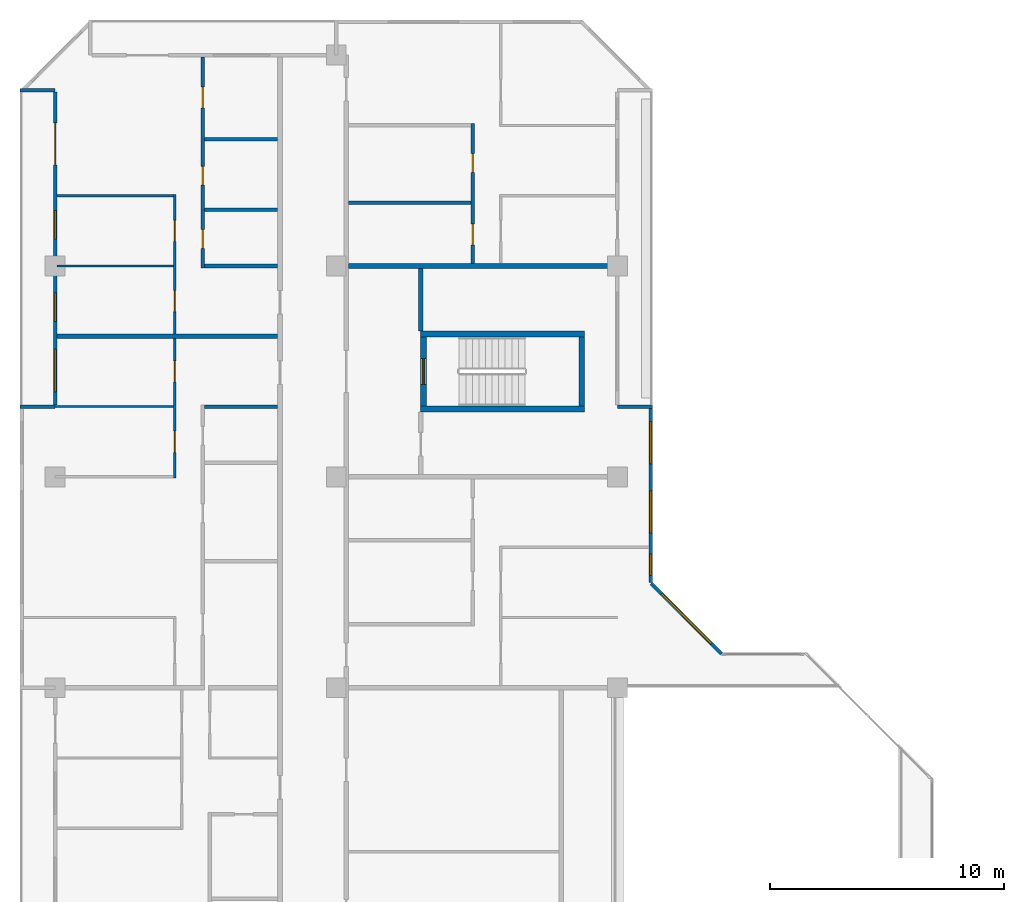
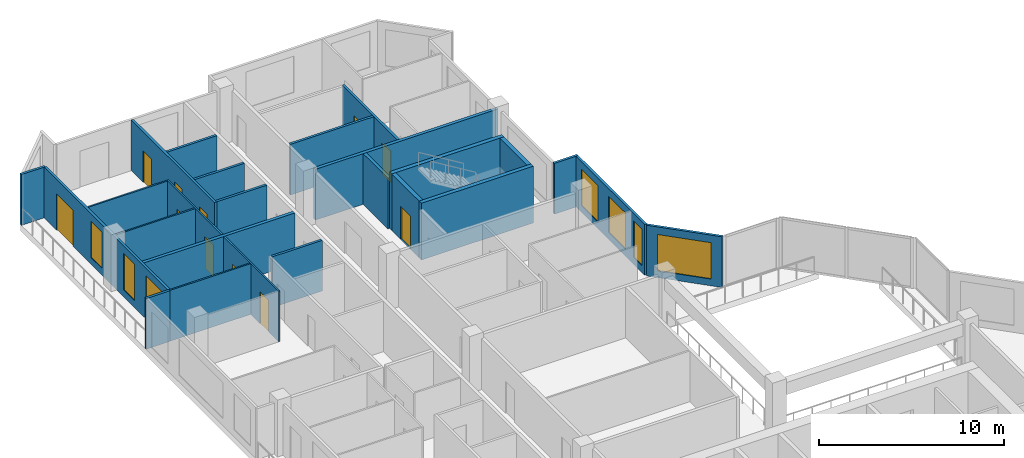
# One storey, part 10 of 14: 25 walls, 11 doors, 7 windows, 18 openings.
"""IFC4 building model written with IfcOpenShell, lengths in metres."""

import ifcopenshell
import ifcopenshell.guid

model = None  # the IFC model being written
_history = None  # IfcOwnerHistory: only IFC2X3 demands one
_inside = {}  # id of a spatial element -> (the spatial element, [elements in it])
_under = {}  # id of a project, library or spatial element -> (it, [spatial elements below it])
_declared = {}  # id of a project -> (the project, [libraries it declares])
_typed = {}  # id of a type object -> (the type object, [elements of that type])
_made_of = {}  # id of a material, layer set ... -> (it, [elements and type objects made of it])


def new_model(schema):
    """Start an empty IFC model of exactly this schema.

    Asked for "IFC4X3", IfcOpenShell would pick the latest addendum, in which some entities
    have other attributes; the version numbers below select the first issue.
    IFC2X3 requires an IfcOwnerHistory on every rooted entity: one is made here for all.
    """
    global model, _history
    if schema == "IFC4X3":
        model = ifcopenshell.file(schema_version=(4, 3, 0, 0))
    else:
        model = ifcopenshell.file(schema=schema)
    _inside.clear()
    _under.clear()
    _declared.clear()
    _typed.clear()
    _made_of.clear()
    _history = None
    if model.schema == "IFC2X3":
        org = make("IfcOrganization", Name="unknown")
        user = make(
            "IfcPersonAndOrganization",
            ThePerson=make("IfcPerson", FamilyName="unknown"),
            TheOrganization=org,
        )
        app = make(
            "IfcApplication",
            ApplicationDeveloper=org,
            Version="unknown",
            ApplicationFullName="unknown",
            ApplicationIdentifier="unknown",
        )
        _history = make(
            "IfcOwnerHistory",
            OwningUser=user,
            OwningApplication=app,
            ChangeAction="ADDED",
            CreationDate=0,
        )
    return model


def make(cls, **values):
    """One entity of the class cls with the attributes given. An attribute that is None is left unset."""
    return model.create_entity(
        cls, **{name: value for name, value in values.items() if value is not None}
    )


def rooted(cls, **values):
    """An entity with a GlobalId (a new one), such as an element, a storey or a relation."""
    return make(cls, GlobalId=ifcopenshell.guid.new(), OwnerHistory=_history, **values)


def si_unit(unit_type, name, prefix=None):
    """IfcSIUnit, for example si_unit("LENGTHUNIT", "METRE", prefix="MILLI")."""
    return make("IfcSIUnit", UnitType=unit_type, Prefix=prefix, Name=name)


def assignment(units):
    """IfcUnitAssignment: the units of a project."""
    return None if units is None else make("IfcUnitAssignment", Units=units)


def point(xyz):
    """IfcCartesianPoint."""
    return None if xyz is None else make("IfcCartesianPoint", Coordinates=xyz)


def direction(xyz):
    """IfcDirection."""
    return None if xyz is None else make("IfcDirection", DirectionRatios=xyz)


def frame(location, z_axis=None, x_axis=None):
    """IfcAxis2Placement3D, a coordinate frame: its origin and axes. An axis left out is left unset."""
    return make(
        "IfcAxis2Placement3D",
        Location=point(location),
        Axis=direction(z_axis),
        RefDirection=direction(x_axis),
    )


def frame_2d(location, x_axis=None):
    """IfcAxis2Placement2D, a coordinate frame in the plane: its origin and x axis."""
    return make(
        "IfcAxis2Placement2D", Location=point(location), RefDirection=direction(x_axis)
    )


def origin():
    """The frame at (0, 0, 0) with its axes left unset."""
    return frame((0.0, 0.0, 0.0))


def place(relative_to, where):
    """IfcLocalPlacement: puts the frame where relative to a parent placement (None: the world)."""
    return make(
        "IfcLocalPlacement", PlacementRelTo=relative_to, RelativePlacement=where
    )


def context(
    kind, dimensions, precision=None, world=None, true_north=None, identifier=None
):
    """IfcGeometricRepresentationContext, for example the 3D "Model" context."""
    return make(
        "IfcGeometricRepresentationContext",
        ContextIdentifier=identifier,
        ContextType=kind,
        CoordinateSpaceDimension=dimensions,
        Precision=precision,
        WorldCoordinateSystem=world,
        TrueNorth=true_north,
    )


def subcontext(parent, identifier, kind, view, scale=None):
    """IfcGeometricRepresentationSubContext, for example "Body" below "Model"."""
    return make(
        "IfcGeometricRepresentationSubContext",
        ContextIdentifier=identifier,
        ContextType=kind,
        ParentContext=parent,
        TargetScale=scale,
        TargetView=view,
    )


def project(units=None, contexts=None):
    """IfcProject with its units and contexts."""
    return rooted(
        "IfcProject",
        Name="project",
        RepresentationContexts=contexts,
        UnitsInContext=assignment(units),
    )


def spatial(cls, under=None, at=None, **own):
    """A site, building, storey or space (cls), placed at a placement, below another one or the project."""
    s = rooted(cls, ObjectPlacement=at, **own)
    if under is not None:
        _under.setdefault(under.id(), (under, []))[1].append(s)
    return s


def profile(cls, at=None, kind="AREA", **sizes):
    """A parametric profile (cls). Its sizes go by their IFC names, for example OverallWidth=200.0."""
    return make(cls, ProfileType=kind, Position=at, **sizes)


def rectangle(**sizes):
    """IfcRectangleProfileDef."""
    return profile("IfcRectangleProfileDef", **sizes)


def extrude(swept, where, along, depth):
    """IfcExtrudedAreaSolid: the profile swept, set in the frame where, extruded along a direction by depth."""
    return make(
        "IfcExtrudedAreaSolid",
        SweptArea=swept,
        Position=where,
        ExtrudedDirection=direction(along),
        Depth=depth,
    )


def shape(context_of_items, identifier, shape_type, items):
    """IfcShapeRepresentation: the items that make up one representation, for example the "Body"."""
    return make(
        "IfcShapeRepresentation",
        ContextOfItems=context_of_items,
        RepresentationIdentifier=identifier,
        RepresentationType=shape_type,
        Items=items,
    )


def material(Name=None, Category=None):
    """IfcMaterial."""
    return make("IfcMaterial", Name=Name, Category=Category)


def layer(
    of_material, thickness, ventilated=None, Name=None, Category=None, Priority=None
):
    """IfcMaterialLayer: one layer of a wall or slab, of a material (None: an air gap)."""
    return make(
        "IfcMaterialLayer",
        Material=of_material,
        LayerThickness=thickness,
        IsVentilated=ventilated,
        Name=Name,
        Category=Category,
        Priority=Priority,
    )


def layer_set(layers, Name=None):
    """IfcMaterialLayerSet."""
    return make("IfcMaterialLayerSet", MaterialLayers=layers, LayerSetName=Name)


def made_of(thing, what):
    """Note that an element or type object is made of a material, layer set ...; save() writes the relation."""
    if what is not None:
        _made_of.setdefault(what.id(), (what, []))[1].append(thing)
    return thing


def type_object(cls, material=None, **own):
    """A type object (cls), such as IfcWallType, which elements share."""
    return made_of(rooted(cls, **own), material)


def element(
    cls,
    number,
    at=None,
    inside=None,
    cuts=None,
    type_object=None,
    material=None,
    context=None,
    identifier="Body",
    shape_type=None,
    held_by="IfcProductDefinitionShape",
    body=None,
    shapes=None,
    **own,
):
    """One element of the class cls, such as IfcWall. Its Tag is "e" and its number.

    at: its placement. inside: the storey or other place that contains it. cuts: it is an
    opening in that element (IfcRelVoidsElement). A single representation is given by context,
    identifier, shape_type and body (its items); several are given by shapes. held_by: the class
    of the entity that holds the representations. save() writes the other relations.
    """
    e = rooted(cls, Tag="e%d" % number, ObjectPlacement=at, **own)
    if body is not None:
        shapes = [shape(context, identifier, shape_type, body)]
    if shapes is not None:
        e.Representation = make(held_by, Representations=shapes)
    if inside is not None:
        _inside.setdefault(inside.id(), (inside, []))[1].append(e)
    if cuts is not None:
        rooted(
            "IfcRelVoidsElement", RelatingBuildingElement=cuts, RelatedOpeningElement=e
        )
    if type_object is not None:
        _typed.setdefault(type_object.id(), (type_object, []))[1].append(e)
    return made_of(e, material)


def fill(opening, filler):
    """IfcRelFillsElement: the door or window that sits in an opening."""
    return rooted(
        "IfcRelFillsElement",
        RelatingOpeningElement=opening,
        RelatedBuildingElement=filler,
    )


def aggregate(whole, parts):
    """IfcRelAggregates: a whole, such as a stair, and the parts it consists of."""
    return rooted("IfcRelAggregates", RelatingObject=whole, RelatedObjects=parts)


def save(model, path):
    """Write the relations noted so far, then the file.

    IfcRelAggregates (storeys below a building ...), IfcRelContainedInSpatialStructure (elements
    in a storey), IfcRelDefinesByType, IfcRelAssociatesMaterial and IfcRelDeclares: one each for
    every whole, place, type object, material and project.
    """
    for whole, parts in _under.values():
        aggregate(whole, parts)
    for where, things in _inside.values():
        rooted(
            "IfcRelContainedInSpatialStructure",
            RelatedElements=things,
            RelatingStructure=where,
        )
    for kind, things in _typed.values():
        rooted("IfcRelDefinesByType", RelatedObjects=things, RelatingType=kind)
    for what, things in _made_of.values():
        rooted("IfcRelAssociatesMaterial", RelatedObjects=things, RelatingMaterial=what)
    for by, libraries in _declared.values():
        rooted("IfcRelDeclares", RelatingContext=by, RelatedDefinitions=libraries)
    model.write(path)


model = new_model("IFC4")

# Units and contexts
model_context = context("Model", 3, precision=1e-05, world=origin(), true_north=direction((0.0, 1.0)))
body_context = subcontext(model_context, "Body", "Model", "MODEL_VIEW")
ifc_project = project(units=[si_unit("LENGTHUNIT", "METRE"), si_unit("AREAUNIT", "SQUARE_METRE"), si_unit("VOLUMEUNIT", "CUBIC_METRE"), si_unit("PLANEANGLEUNIT", "RADIAN"), si_unit("MASSUNIT", "GRAM", prefix="KILO")], contexts=[model_context])

# Site, building, storey
site_placement = place(None, origin())
site = spatial("IfcSite", under=ifc_project, at=site_placement, CompositionType="ELEMENT")
building_placement = place(site_placement, origin())
building = spatial("IfcBuilding", under=site, at=building_placement, Name="Chenar Terraces", CompositionType="ELEMENT")
storey_placement = place(building_placement, frame((0.0, 0.0, 237.89990234375)))
storey = spatial("IfcBuildingStorey", under=building, at=storey_placement, Name="L56", CompositionType="ELEMENT", Elevation=237.89990234375)

# Walls
ifc_material_1 = material(Name="Concrete C60/75", Category="concrete")
ifc_layer_1 = layer(ifc_material_1, 0.25)
ifc_layer_set_1 = layer_set([ifc_layer_1], Name="Concrete C60/75")
wall_type_1 = type_object("IfcWallType", Name="Core wall 250 Concrete C60/75", PredefinedType="SHEAR", material=ifc_layer_set_1)
for number, where, z_axis, x_axis, name in (
    (1, (15.60009765625, 47.89990234375, 0.0), (0.0, 0.0, 1.0), (1.0, 0.0, 0.0), "Core wall ST4_S L56"),
    (2, (15.60009765625, 51.10009765625, 0.0), (0.0, 0.0, 1.0), (1.0, 0.0, 0.0), "Core wall ST4_N L56"),
):
    element("IfcWall", number, at=place(storey_placement, frame(where, z_axis=z_axis, x_axis=x_axis)), inside=storey, type_object=wall_type_1, Name=name, PredefinedType="SHEAR", context=body_context, shape_type="SweptSolid", body=[
        extrude(rectangle(XDim=7.0, YDim=0.25, at=frame_2d((3.5, 0.0))), origin(), (0.0, 0.0, 1.0), 3.75),
    ])

# Wall, opening, door
wall_1_placement = place(storey_placement, frame((15.72509765625, 48.02490234375, 0.0), z_axis=(0.0, 0.0, 1.0), x_axis=(0.0, 1.0, 0.0)))
wall_1 = element("IfcWall", 3, at=wall_1_placement, inside=storey, type_object=wall_type_1, Name="Core wall ST4_W L56", PredefinedType="SHEAR", context=body_context, shape_type="SweptSolid", body=[
    extrude(rectangle(XDim=2.9501953125, YDim=0.25, at=frame_2d((1.47509765625, 0.0))), origin(), (0.0, 0.0, 1.0), 3.75),
])
opening_1_placement = place(wall_1_placement, frame((0.925048828125, 0.0, 0.0)))
opening_1 = element("IfcOpeningElement", 4, at=opening_1_placement, cuts=wall_1, Name="Opening DL56-C9", PredefinedType="OPENING", context=body_context, shape_type="SweptSolid", body=[
    extrude(rectangle(XDim=1.10009765625, YDim=2.199951171875, at=frame_2d((0.550048828125, 1.10009765625))), frame((0.0, 0.135009765625, 0.0), z_axis=(0.0, -1.0, 0.0), x_axis=(1.0, 0.0, 0.0)), (0.0, 0.0, 1.0), 0.27001953125),
])
ifc_material_2 = material(Name="Steel-framed fire-resisting door leaf", Category="steel")
door_type_1 = type_object("IfcDoorType", Name="Stair fire door FD60 1100 x 2200", OperationType="SINGLE_SWING_LEFT", PredefinedType="DOOR", material=ifc_material_2)
door_1_placement = place(opening_1_placement, frame((1.10009765625, 0.0, 0.0), z_axis=(0.0, 0.0, 1.0), x_axis=(-1.0, 0.0, 0.0)))
door_1 = element("IfcDoor", 5, at=door_1_placement, inside=storey, type_object=door_type_1, Name="Stair door DL56-C9", OperationType="SINGLE_SWING_RIGHT", OverallHeight=2.199951171875, OverallWidth=1.10009765625, PredefinedType="DOOR", context=body_context, shape_type="SweptSolid", body=[
    extrude(rectangle(XDim=1.10009765625, YDim=2.199951171875, at=frame_2d((0.550048828125, 1.10009765625))), frame((0.0, 0.02490234375, 0.0), z_axis=(0.0, -1.0, 0.0), x_axis=(1.0, 0.0, 0.0)), (0.0, 0.0, 1.0), 0.050048828125),
])
fill(opening_1, door_1)

# Walls
wall_2_placement = place(storey_placement, frame((22.47509765625, 48.02490234375, 0.0), z_axis=(0.0, 0.0, 1.0), x_axis=(0.0, 1.0, 0.0)))
element("IfcWall", 6, at=wall_2_placement, inside=storey, type_object=wall_type_1, Name="Core wall ST4_E L56", PredefinedType="SHEAR", context=body_context, shape_type="SweptSolid", body=[
    extrude(rectangle(XDim=2.9501953125, YDim=0.25, at=frame_2d((1.47509765625, 0.0))), origin(), (0.0, 0.0, 1.0), 3.75),
])
ifc_material_3 = material(Name="Gypsum board on steel studs with fire boards", Category="steel")
ifc_layer_2 = layer(ifc_material_3, 0.199951171875)
ifc_layer_set_2 = layer_set([ifc_layer_2], Name="Gypsum board on steel studs with fire boards")
wall_type_2 = type_object("IfcWallType", Name="Corridor wall 200", PredefinedType="PARTITIONING", material=ifc_layer_set_2)
wall_3_placement = place(storey_placement, frame((15.60009765625, 51.22509765625, 0.0), z_axis=(0.0, 0.0, 1.0), x_axis=(0.0, 1.0, 0.0)))
element("IfcWall", 7, at=wall_3_placement, inside=storey, type_object=wall_type_2, Name="Partition L56-048", PredefinedType="PARTITIONING", context=body_context, shape_type="SweptSolid", body=[
    extrude(rectangle(XDim=2.6748046875, YDim=0.199951171875, at=frame_2d((1.33740234375, 0.0))), origin(), (0.0, 0.0, 1.0), 3.35009765625),
])

# Wall, openings, windows
ifc_material_4 = material(Name="Aluminium framed glazing", Category="aluminium")
ifc_layer_3 = layer(ifc_material_4, 0.14990234375)
ifc_layer_set_3 = layer_set([ifc_layer_3], Name="Aluminium framed glazing")
wall_type_3 = type_object("IfcWallType", Name="Glazed flush facade wall 150", PredefinedType="SOLIDWALL", material=ifc_layer_set_3)
wall_4_placement = place(storey_placement, frame((25.425048828125, 40.5, 0.0), z_axis=(0.0, 0.0, 1.0), x_axis=(0.0, 1.0, 0.0)))
wall_4 = element("IfcWall", 8, at=wall_4_placement, inside=storey, type_object=wall_type_3, Name="Glazed flush facade wall", PredefinedType="SOLIDWALL", context=body_context, shape_type="SweptSolid", body=[
    extrude(rectangle(XDim=7.425048828125, YDim=0.14990234375, at=frame_2d((3.71240234375, 0.0))), origin(), (0.0, 0.0, 1.0), 3.35009765625),
])
opening_2_placement = place(wall_4_placement, frame((0.300048828125, 0.0, 0.449951171875)))
opening_2 = element("IfcOpeningElement", 9, at=opening_2_placement, cuts=wall_4, Name="Opening W90x240", PredefinedType="OPENING", context=body_context, shape_type="SweptSolid", body=[
    extrude(rectangle(XDim=0.89990234375, YDim=2.39990234375, at=frame_2d((0.449951171875, 1.199951171875))), frame((0.0, 0.0849609375, 0.0), z_axis=(0.0, -1.0, 0.0), x_axis=(1.0, 0.0, 0.0)), (0.0, 0.0, 1.0), 0.169921875),
])
opening_3_placement = place(wall_4_placement, frame((2.10009765625, 0.0, 0.449951171875)))
opening_3 = element("IfcOpeningElement", 10, at=opening_3_placement, cuts=wall_4, Name="Opening W180x240", PredefinedType="OPENING", context=body_context, shape_type="SweptSolid", body=[
    extrude(rectangle(XDim=1.800048828125, YDim=2.39990234375, at=frame_2d((0.89990234375, 1.199951171875))), frame((0.0, 0.0849609375, 0.0), z_axis=(0.0, -1.0, 0.0), x_axis=(1.0, 0.0, 0.0)), (0.0, 0.0, 1.0), 0.169921875),
])
opening_4_placement = place(wall_4_placement, frame((5.0625, 0.0, 0.449951171875)))
opening_4 = element("IfcOpeningElement", 11, at=opening_4_placement, cuts=wall_4, Name="Opening W180x240", PredefinedType="OPENING", context=body_context, shape_type="SweptSolid", body=[
    extrude(rectangle(XDim=1.800048828125, YDim=2.39990234375, at=frame_2d((0.89990234375, 1.199951171875))), frame((0.0, 0.0849609375, 0.0), z_axis=(0.0, -1.0, 0.0), x_axis=(1.0, 0.0, 0.0)), (0.0, 0.0, 1.0), 0.169921875),
])
ifc_material_5 = material(Name="Low emissivity double glazing, aluminium frame", Category="aluminium")
window_type_1 = type_object("IfcWindowType", Name="Fixed light 1800 x 2400", PartitioningType="SINGLE_PANEL", PredefinedType="WINDOW", material=ifc_material_5)
window_1_placement = place(opening_3_placement, origin())
window_1 = element("IfcWindow", 12, at=window_1_placement, inside=storey, type_object=window_type_1, Name="Window", OverallHeight=2.39990234375, OverallWidth=1.800048828125, PartitioningType="SINGLE_PANEL", PredefinedType="WINDOW", context=body_context, shape_type="SweptSolid", body=[
    extrude(rectangle(XDim=1.800048828125, YDim=2.39990234375, at=frame_2d((0.89990234375, 1.199951171875))), frame((0.0, 0.030029296875, 0.0), z_axis=(0.0, -1.0, 0.0), x_axis=(1.0, 0.0, 0.0)), (0.0, 0.0, 1.0), 0.06005859375),
])
fill(opening_3, window_1)
window_2_placement = place(opening_4_placement, origin())
window_2 = element("IfcWindow", 13, at=window_2_placement, inside=storey, type_object=window_type_1, Name="Window", OverallHeight=2.39990234375, OverallWidth=1.800048828125, PartitioningType="SINGLE_PANEL", PredefinedType="WINDOW", context=body_context, shape_type="SweptSolid", body=[
    extrude(rectangle(XDim=1.800048828125, YDim=2.39990234375, at=frame_2d((0.89990234375, 1.199951171875))), frame((0.0, 0.030029296875, 0.0), z_axis=(0.0, -1.0, 0.0), x_axis=(1.0, 0.0, 0.0)), (0.0, 0.0, 1.0), 0.06005859375),
])
fill(opening_4, window_2)
ifc_material_6 = material(Name="Low emissivity double glazing, aluminium frame", Category="aluminium")
window_type_2 = type_object("IfcWindowType", Name="Fixed light 900 x 2400", PartitioningType="SINGLE_PANEL", PredefinedType="WINDOW", material=ifc_material_6)
window_3_placement = place(opening_2_placement, origin())
window_3 = element("IfcWindow", 14, at=window_3_placement, inside=storey, type_object=window_type_2, Name="Window", OverallHeight=2.39990234375, OverallWidth=0.89990234375, PartitioningType="SINGLE_PANEL", PredefinedType="WINDOW", context=body_context, shape_type="SweptSolid", body=[
    extrude(rectangle(XDim=0.89990234375, YDim=2.39990234375, at=frame_2d((0.449951171875, 1.199951171875))), frame((0.0, 0.030029296875, 0.0), z_axis=(0.0, -1.0, 0.0), x_axis=(1.0, 0.0, 0.0)), (0.0, 0.0, 1.0), 0.06005859375),
])
fill(opening_2, window_3)

# Wall, openings, windows, door
ifc_material_7 = material(Name="Aluminium framed glazing", Category="aluminium")
ifc_layer_4 = layer(ifc_material_7, 0.14990234375)
ifc_layer_set_4 = layer_set([ifc_layer_4], Name="Aluminium framed glazing")
wall_type_4 = type_object("IfcWallType", Name="Glazed loggia back wall 150", PredefinedType="SOLIDWALL", material=ifc_layer_set_4)
wall_5_placement = place(storey_placement, frame((0.0, 61.425048828125, 0.0), z_axis=(0.0, 0.0, 1.0), x_axis=(0.0, -1.0, 0.0)))
wall_5 = element("IfcWall", 15, at=wall_5_placement, inside=storey, type_object=wall_type_4, Name="Glazed loggia back wall", PredefinedType="SOLIDWALL", context=body_context, shape_type="SweptSolid", body=[
    extrude(rectangle(XDim=13.35009765625, YDim=0.14990234375, at=frame_2d((6.675048828125, 0.0))), origin(), (0.0, 0.0, 1.0), 3.35009765625),
])
opening_5_placement = place(wall_5_placement, frame((1.3125, 0.0, 0.0)))
opening_5 = element("IfcOpeningElement", 16, at=opening_5_placement, cuts=wall_5, Name="Opening DL56-G4", PredefinedType="OPENING", context=body_context, shape_type="SweptSolid", body=[
    extrude(rectangle(XDim=1.800048828125, YDim=2.39990234375, at=frame_2d((0.89990234375, 1.199951171875))), frame((0.0, 0.0849609375, 0.0), z_axis=(0.0, -1.0, 0.0), x_axis=(1.0, 0.0, 0.0)), (0.0, 0.0, 1.0), 0.169921875),
])
opening_6_placement = place(wall_5_placement, frame((5.0625, 0.0, 0.449951171875)))
opening_6 = element("IfcOpeningElement", 17, at=opening_6_placement, cuts=wall_5, Name="Opening W120x240", PredefinedType="OPENING", context=body_context, shape_type="SweptSolid", body=[
    extrude(rectangle(XDim=1.199951171875, YDim=2.39990234375, at=frame_2d((0.60009765625, 1.199951171875))), frame((0.0, 0.0849609375, 0.0), z_axis=(0.0, -1.0, 0.0), x_axis=(1.0, 0.0, 0.0)), (0.0, 0.0, 1.0), 0.169921875),
])
opening_7_placement = place(wall_5_placement, frame((8.58740234375, 0.0, 0.449951171875)))
opening_7 = element("IfcOpeningElement", 18, at=opening_7_placement, cuts=wall_5, Name="Opening W120x240", PredefinedType="OPENING", context=body_context, shape_type="SweptSolid", body=[
    extrude(rectangle(XDim=1.199951171875, YDim=2.39990234375, at=frame_2d((0.60009765625, 1.199951171875))), frame((0.0, 0.0849609375, 0.0), z_axis=(0.0, -1.0, 0.0), x_axis=(1.0, 0.0, 0.0)), (0.0, 0.0, 1.0), 0.169921875),
])
opening_8_placement = place(wall_5_placement, frame((10.987548828125, 0.0, 0.449951171875)))
opening_8 = element("IfcOpeningElement", 19, at=opening_8_placement, cuts=wall_5, Name="Opening W180x240", PredefinedType="OPENING", context=body_context, shape_type="SweptSolid", body=[
    extrude(rectangle(XDim=1.800048828125, YDim=2.39990234375, at=frame_2d((0.89990234375, 1.199951171875))), frame((0.0, 0.0849609375, 0.0), z_axis=(0.0, -1.0, 0.0), x_axis=(1.0, 0.0, 0.0)), (0.0, 0.0, 1.0), 0.169921875),
])
ifc_material_8 = material(Name="Low emissivity double glazing, aluminium frame", Category="aluminium")
window_type_3 = type_object("IfcWindowType", Name="Fixed light 1200 x 2400", PartitioningType="SINGLE_PANEL", PredefinedType="WINDOW", material=ifc_material_8)
window_4_placement = place(opening_6_placement, origin())
window_4 = element("IfcWindow", 20, at=window_4_placement, inside=storey, type_object=window_type_3, Name="Window", OverallHeight=2.39990234375, OverallWidth=1.199951171875, PartitioningType="SINGLE_PANEL", PredefinedType="WINDOW", context=body_context, shape_type="SweptSolid", body=[
    extrude(rectangle(XDim=1.199951171875, YDim=2.39990234375, at=frame_2d((0.60009765625, 1.199951171875))), frame((0.0, 0.030029296875, 0.0), z_axis=(0.0, -1.0, 0.0), x_axis=(1.0, 0.0, 0.0)), (0.0, 0.0, 1.0), 0.06005859375),
])
fill(opening_6, window_4)
window_5_placement = place(opening_7_placement, origin())
window_5 = element("IfcWindow", 21, at=window_5_placement, inside=storey, type_object=window_type_3, Name="Window", OverallHeight=2.39990234375, OverallWidth=1.199951171875, PartitioningType="SINGLE_PANEL", PredefinedType="WINDOW", context=body_context, shape_type="SweptSolid", body=[
    extrude(rectangle(XDim=1.199951171875, YDim=2.39990234375, at=frame_2d((0.60009765625, 1.199951171875))), frame((0.0, 0.030029296875, 0.0), z_axis=(0.0, -1.0, 0.0), x_axis=(1.0, 0.0, 0.0)), (0.0, 0.0, 1.0), 0.06005859375),
])
fill(opening_7, window_5)
window_6_placement = place(opening_8_placement, origin())
window_6 = element("IfcWindow", 22, at=window_6_placement, inside=storey, type_object=window_type_1, Name="Window", OverallHeight=2.39990234375, OverallWidth=1.800048828125, PartitioningType="SINGLE_PANEL", PredefinedType="WINDOW", context=body_context, shape_type="SweptSolid", body=[
    extrude(rectangle(XDim=1.800048828125, YDim=2.39990234375, at=frame_2d((0.89990234375, 1.199951171875))), frame((0.0, 0.030029296875, 0.0), z_axis=(0.0, -1.0, 0.0), x_axis=(1.0, 0.0, 0.0)), (0.0, 0.0, 1.0), 0.06005859375),
])
fill(opening_8, window_6)
ifc_material_9 = material(Name="Low emissivity double glazing, aluminium frame", Category="aluminium")
door_type_2 = type_object("IfcDoorType", Name="Loggia glazed double door 1800 x 2400", OperationType="DOUBLE_DOOR_SINGLE_SWING", PredefinedType="DOOR", material=ifc_material_9)
door_2_placement = place(opening_5_placement, frame((1.800048828125, 0.0, 0.0), z_axis=(0.0, 0.0, 1.0), x_axis=(-1.0, 0.0, 0.0)))
door_2 = element("IfcDoor", 23, at=door_2_placement, inside=storey, type_object=door_type_2, Name="Loggia glazed door", OperationType="DOUBLE_DOOR_SINGLE_SWING", OverallHeight=2.39990234375, OverallWidth=1.800048828125, PredefinedType="DOOR", context=body_context, shape_type="SweptSolid", body=[
    extrude(rectangle(XDim=1.800048828125, YDim=2.39990234375, at=frame_2d((0.89990234375, 1.199951171875))), frame((0.0, 0.02490234375, 0.0), z_axis=(0.0, -1.0, 0.0), x_axis=(1.0, 0.0, 0.0)), (0.0, 0.0, 1.0), 0.050048828125),
])
fill(opening_5, door_2)

# Walls
ifc_material_10 = material(Name="Gypsum board on steel studs", Category="steel")
ifc_layer_5 = layer(ifc_material_10, 0.10009765625)
ifc_layer_set_5 = layer_set([ifc_layer_5], Name="Gypsum board on steel studs")
wall_type_5 = type_object("IfcWallType", Name="Gypsum partition 100", PredefinedType="PARTITIONING", material=ifc_layer_set_5)
wall_6_placement = place(storey_placement, frame((0.0, 48.0, 0.0), z_axis=(0.0, 0.0, 1.0), x_axis=(1.0, 0.0, 0.0)))
element("IfcWall", 24, at=wall_6_placement, inside=storey, type_object=wall_type_5, Name="Partition L56-006", PredefinedType="PARTITIONING", context=body_context, shape_type="SweptSolid", body=[
    extrude(rectangle(XDim=5.050048828125, YDim=0.10009765625, at=frame_2d((2.52490234375, 0.0))), origin(), (0.0, 0.0, 1.0), 3.35009765625),
])
for number, where, z_axis, x_axis, name in (
    (25, (0.073974609375, 54.0, 0.0), (0.0, 0.0, 1.0), (1.0, 0.0, 0.0), "Partition L56-010"),
    (26, (0.073974609375, 57.0, 0.0), (0.0, 0.0, 1.0), (1.0, 0.0, 0.0), "Partition L56-011"),
):
    element("IfcWall", number, at=place(storey_placement, frame(where, z_axis=z_axis, x_axis=x_axis)), inside=storey, type_object=wall_type_5, Name=name, PredefinedType="PARTITIONING", context=body_context, shape_type="SweptSolid", body=[
        extrude(rectangle(XDim=4.97607421875, YDim=0.10009765625, at=frame_2d((2.488037109375, 0.0))), origin(), (0.0, 0.0, 1.0), 3.35009765625),
    ])

# Wall, openings, doors
wall_7_placement = place(storey_placement, frame((5.10009765625, 44.949951171875, 0.0), z_axis=(0.0, 0.0, 1.0), x_axis=(0.0, 1.0, 0.0)))
wall_7 = element("IfcWall", 27, at=wall_7_placement, inside=storey, type_object=wall_type_5, Name="Partition L56-014", PredefinedType="PARTITIONING", context=body_context, shape_type="SweptSolid", body=[
    extrude(rectangle(XDim=5.949951171875, YDim=0.10009765625, at=frame_2d((2.97509765625, 0.0))), origin(), (0.0, 0.0, 1.0), 3.35009765625),
])
opening_9_placement = place(wall_7_placement, frame((1.10009765625, 0.0, 0.0)))
opening_9 = element("IfcOpeningElement", 28, at=opening_9_placement, cuts=wall_7, Name="Opening DL56-25", PredefinedType="OPENING", context=body_context, shape_type="SweptSolid", body=[
    extrude(rectangle(XDim=0.89990234375, YDim=2.10009765625, at=frame_2d((0.449951171875, 1.050048828125))), frame((0.0, 0.06005859375, 0.0), z_axis=(0.0, -1.0, 0.0), x_axis=(1.0, 0.0, 0.0)), (0.0, 0.0, 1.0), 0.1201171875),
])
opening_10_placement = place(wall_7_placement, frame((4.10009765625, 0.0, 0.0)))
opening_10 = element("IfcOpeningElement", 29, at=opening_10_placement, cuts=wall_7, Name="Opening DL56-26", PredefinedType="OPENING", context=body_context, shape_type="SweptSolid", body=[
    extrude(rectangle(XDim=0.89990234375, YDim=2.10009765625, at=frame_2d((0.449951171875, 1.050048828125))), frame((0.0, 0.06005859375, 0.0), z_axis=(0.0, -1.0, 0.0), x_axis=(1.0, 0.0, 0.0)), (0.0, 0.0, 1.0), 0.1201171875),
])
ifc_material_11 = material(Name="Veneered timber door leaf", Category="wood")
door_type_3 = type_object("IfcDoorType", Name="Door 900 x 2100", OperationType="SINGLE_SWING_LEFT", PredefinedType="DOOR", material=ifc_material_11)
door_3_placement = place(opening_9_placement, origin())
door_3 = element("IfcDoor", 30, at=door_3_placement, inside=storey, type_object=door_type_3, Name="Door DL56-25", OperationType="SINGLE_SWING_LEFT", OverallHeight=2.10009765625, OverallWidth=0.89990234375, PredefinedType="DOOR", context=body_context, shape_type="SweptSolid", body=[
    extrude(rectangle(XDim=0.89990234375, YDim=2.10009765625, at=frame_2d((0.449951171875, 1.050048828125))), frame((0.0, 0.02490234375, 0.0), z_axis=(0.0, -1.0, 0.0), x_axis=(1.0, 0.0, 0.0)), (0.0, 0.0, 1.0), 0.050048828125),
])
fill(opening_9, door_3)
door_4_placement = place(opening_10_placement, origin())
door_4 = element("IfcDoor", 31, at=door_4_placement, inside=storey, type_object=door_type_3, Name="Door DL56-26", OperationType="SINGLE_SWING_RIGHT", OverallHeight=2.10009765625, OverallWidth=0.89990234375, PredefinedType="DOOR", context=body_context, shape_type="SweptSolid", body=[
    extrude(rectangle(XDim=0.89990234375, YDim=2.10009765625, at=frame_2d((0.449951171875, 1.050048828125))), frame((0.0, 0.02490234375, 0.0), z_axis=(0.0, -1.0, 0.0), x_axis=(1.0, 0.0, 0.0)), (0.0, 0.0, 1.0), 0.050048828125),
])
fill(opening_10, door_4)

wall_8_placement = place(storey_placement, frame((5.10009765625, 51.10009765625, 0.0), z_axis=(0.0, 0.0, 1.0), x_axis=(0.0, 1.0, 0.0)))
wall_8 = element("IfcWall", 32, at=wall_8_placement, inside=storey, type_object=wall_type_5, Name="Partition L56-015", PredefinedType="PARTITIONING", context=body_context, shape_type="SweptSolid", body=[
    extrude(rectangle(XDim=5.949951171875, YDim=0.10009765625, at=frame_2d((2.97509765625, 0.0))), origin(), (0.0, 0.0, 1.0), 3.35009765625),
])
opening_11_placement = place(wall_8_placement, frame((0.949951171875, 0.0, 0.0)))
opening_11 = element("IfcOpeningElement", 33, at=opening_11_placement, cuts=wall_8, Name="Opening DL56-31", PredefinedType="OPENING", context=body_context, shape_type="SweptSolid", body=[
    extrude(rectangle(XDim=0.89990234375, YDim=2.10009765625, at=frame_2d((0.449951171875, 1.050048828125))), frame((0.0, 0.06005859375, 0.0), z_axis=(0.0, -1.0, 0.0), x_axis=(1.0, 0.0, 0.0)), (0.0, 0.0, 1.0), 0.1201171875),
])
opening_12_placement = place(wall_8_placement, frame((3.949951171875, 0.0, 0.0)))
opening_12 = element("IfcOpeningElement", 34, at=opening_12_placement, cuts=wall_8, Name="Opening DL56-32", PredefinedType="OPENING", context=body_context, shape_type="SweptSolid", body=[
    extrude(rectangle(XDim=0.89990234375, YDim=2.10009765625, at=frame_2d((0.449951171875, 1.050048828125))), frame((0.0, 0.06005859375, 0.0), z_axis=(0.0, -1.0, 0.0), x_axis=(1.0, 0.0, 0.0)), (0.0, 0.0, 1.0), 0.1201171875),
])
door_5_placement = place(opening_11_placement, origin())
door_5 = element("IfcDoor", 35, at=door_5_placement, inside=storey, type_object=door_type_3, Name="Door DL56-31", OperationType="SINGLE_SWING_RIGHT", OverallHeight=2.10009765625, OverallWidth=0.89990234375, PredefinedType="DOOR", context=body_context, shape_type="SweptSolid", body=[
    extrude(rectangle(XDim=0.89990234375, YDim=2.10009765625, at=frame_2d((0.449951171875, 1.050048828125))), frame((0.0, 0.02490234375, 0.0), z_axis=(0.0, -1.0, 0.0), x_axis=(1.0, 0.0, 0.0)), (0.0, 0.0, 1.0), 0.050048828125),
])
fill(opening_11, door_5)
door_6_placement = place(opening_12_placement, origin())
door_6 = element("IfcDoor", 36, at=door_6_placement, inside=storey, type_object=door_type_3, Name="Door DL56-32", OperationType="SINGLE_SWING_RIGHT", OverallHeight=2.10009765625, OverallWidth=0.89990234375, PredefinedType="DOOR", context=body_context, shape_type="SweptSolid", body=[
    extrude(rectangle(XDim=0.89990234375, YDim=2.10009765625, at=frame_2d((0.449951171875, 1.050048828125))), frame((0.0, 0.02490234375, 0.0), z_axis=(0.0, -1.0, 0.0), x_axis=(1.0, 0.0, 0.0)), (0.0, 0.0, 1.0), 0.050048828125),
])
fill(opening_12, door_6)

# Walls
ifc_material_12 = material(Name="Terracotta cladding on insulated backing", Category="masonry")
ifc_layer_6 = layer(ifc_material_12, 0.14990234375)
ifc_layer_set_6 = layer_set([ifc_layer_6], Name="Terracotta cladding on insulated backing")
wall_type_6 = type_object("IfcWallType", Name="Loggia return wall 150", PredefinedType="SOLIDWALL", material=ifc_layer_set_6)
for number, where, z_axis, x_axis, name in (
    (37, (25.5, 48.0, 0.0), (0.0, 0.0, 1.0), (-1.0, 0.0, 0.0), "Loggia return wall"),
    (38, (-1.5, 61.5, 0.0), (0.0, 0.0, 1.0), (1.0, 0.0, 0.0), "Loggia return wall"),
    (39, (-1.5, 48.0, 0.0), (0.0, 0.0, 1.0), (1.0, 0.0, 0.0), "Loggia return wall"),
):
    element("IfcWall", number, at=place(storey_placement, frame(where, z_axis=z_axis, x_axis=x_axis)), inside=storey, type_object=wall_type_6, Name=name, PredefinedType="SOLIDWALL", context=body_context, shape_type="SweptSolid", body=[
        extrude(rectangle(XDim=1.5, YDim=0.14990234375, at=frame_2d((0.75, 0.0))), origin(), (0.0, 0.0, 1.0), 3.35009765625),
    ])

# Wall, opening, window
ifc_material_13 = material(Name="Terracotta cladding on insulated backing", Category="masonry")
ifc_layer_7 = layer(ifc_material_13, 0.14990234375)
ifc_layer_set_7 = layer_set([ifc_layer_7], Name="Terracotta cladding on insulated backing")
wall_type_7 = type_object("IfcWallType", Name="Terracotta rainscreen wall 150", PredefinedType="SOLIDWALL", material=ifc_layer_set_7)
wall_9_placement = place(storey_placement, frame((28.447021484375, 37.447021484375, 0.0), z_axis=(0.0, 0.0, 1.0), x_axis=(-0.707106781187, 0.707106781187, 0.0)))
wall_9 = element("IfcWall", 40, at=wall_9_placement, inside=storey, type_object=wall_type_7, Name="Terracotta rainscreen wall", PredefinedType="SOLIDWALL", context=body_context, shape_type="SweptSolid", body=[
    extrude(rectangle(XDim=4.24267578125, YDim=0.14990234375, at=frame_2d((2.121337890625, 0.0))), origin(), (0.0, 0.0, 1.0), 3.35009765625),
])
opening_13_placement = place(wall_9_placement, frame((0.621337890625, 0.0, 0.449951171875)))
opening_13 = element("IfcOpeningElement", 41, at=opening_13_placement, cuts=wall_9, Name="Opening W300x240", PredefinedType="OPENING", context=body_context, shape_type="SweptSolid", body=[
    extrude(rectangle(XDim=3.0, YDim=2.39990234375, at=frame_2d((1.5, 1.199951171875))), frame((0.0, 0.0849609375, 0.0), z_axis=(0.0, -1.0, 0.0), x_axis=(1.0, 0.0, 0.0)), (0.0, 0.0, 1.0), 0.169921875),
])
ifc_material_14 = material(Name="Low emissivity double glazing, aluminium frame", Category="aluminium")
window_type_4 = type_object("IfcWindowType", Name="Fixed light 3000 x 2400", PartitioningType="SINGLE_PANEL", PredefinedType="WINDOW", material=ifc_material_14)
window_7_placement = place(opening_13_placement, origin())
window_7 = element("IfcWindow", 42, at=window_7_placement, inside=storey, type_object=window_type_4, Name="Window", OverallHeight=2.39990234375, OverallWidth=3.0, PartitioningType="SINGLE_PANEL", PredefinedType="WINDOW", context=body_context, shape_type="SweptSolid", body=[
    extrude(rectangle(XDim=3.0, YDim=2.39990234375, at=frame_2d((1.5, 1.199951171875))), frame((0.0, 0.030029296875, 0.0), z_axis=(0.0, -1.0, 0.0), x_axis=(1.0, 0.0, 0.0)), (0.0, 0.0, 1.0), 0.06005859375),
])
fill(opening_13, window_7)

# Walls
ifc_material_15 = material(Name="Twin gypsum board on steel studs with mineral wool", Category="steel")
ifc_layer_8 = layer(ifc_material_15, 0.199951171875)
ifc_layer_set_8 = layer_set([ifc_layer_8], Name="Twin gypsum board on steel studs with mineral wool")
wall_type_8 = type_object("IfcWallType", Name="Unit demising wall 200", PredefinedType="PARTITIONING", material=ifc_layer_set_8)
wall_10_placement = place(storey_placement, frame((0.073974609375, 51.0, 0.0), z_axis=(0.0, 0.0, 1.0), x_axis=(1.0, 0.0, 0.0)))
element("IfcWall", 43, at=wall_10_placement, inside=storey, type_object=wall_type_8, Name="Partition L56-009", PredefinedType="PARTITIONING", context=body_context, shape_type="SweptSolid", body=[
    extrude(rectangle(XDim=9.426025390625, YDim=0.199951171875, at=frame_2d((4.712890625, 0.0))), origin(), (0.0, 0.0, 1.0), 3.35009765625),
])
wall_11_placement = place(storey_placement, frame((12.52490234375, 54.0, 0.0), z_axis=(0.0, 0.0, 1.0), x_axis=(1.0, 0.0, 0.0)))
element("IfcWall", 44, at=wall_11_placement, inside=storey, type_object=wall_type_8, Name="Partition L56-043", PredefinedType="PARTITIONING", context=body_context, shape_type="SweptSolid", body=[
    extrude(rectangle(XDim=11.401123046875, YDim=0.199951171875, at=frame_2d((5.70068359375, 0.0))), origin(), (0.0, 0.0, 1.0), 3.35009765625),
])

# Wall, openings, doors
ifc_material_16 = material(Name="Moisture-resistant gypsum board on steel studs", Category="steel")
ifc_layer_9 = layer(ifc_material_16, 0.14990234375)
ifc_layer_set_9 = layer_set([ifc_layer_9], Name="Moisture-resistant gypsum board on steel studs")
wall_type_9 = type_object("IfcWallType", Name="Wet-room partition 150", PredefinedType="PARTITIONING", material=ifc_layer_set_9)
wall_12_placement = place(storey_placement, frame((6.300048828125, 53.925048828125, 0.0), z_axis=(0.0, 0.0, 1.0), x_axis=(0.0, 1.0, 0.0)))
wall_12 = element("IfcWall", 45, at=wall_12_placement, inside=storey, type_object=wall_type_9, Name="Partition L56-018", PredefinedType="PARTITIONING", context=body_context, shape_type="SweptSolid", body=[
    extrude(rectangle(XDim=9.0009765625, YDim=0.14990234375, at=frame_2d((4.50048828125, 0.0))), origin(), (0.0, 0.0, 1.0), 3.35009765625),
])
opening_14_placement = place(wall_12_placement, frame((3.52490234375, 0.0, 0.0)))
opening_14 = element("IfcOpeningElement", 46, at=opening_14_placement, cuts=wall_12, Name="Opening DL56-30", PredefinedType="OPENING", context=body_context, shape_type="SweptSolid", body=[
    extrude(rectangle(XDim=0.800048828125, YDim=2.10009765625, at=frame_2d((0.39990234375, 1.050048828125))), frame((0.0, 0.0849609375, 0.0), z_axis=(0.0, -1.0, 0.0), x_axis=(1.0, 0.0, 0.0)), (0.0, 0.0, 1.0), 0.169921875),
])
opening_15_placement = place(wall_12_placement, frame((6.824951171875, 0.0, 0.0)))
opening_15 = element("IfcOpeningElement", 47, at=opening_15_placement, cuts=wall_12, Name="Opening DL56-33", PredefinedType="OPENING", context=body_context, shape_type="SweptSolid", body=[
    extrude(rectangle(XDim=0.89990234375, YDim=2.10009765625, at=frame_2d((0.449951171875, 1.050048828125))), frame((0.0, 0.0849609375, 0.0), z_axis=(0.0, -1.0, 0.0), x_axis=(1.0, 0.0, 0.0)), (0.0, 0.0, 1.0), 0.169921875),
])
opening_16_placement = place(wall_12_placement, frame((0.824951171875, 0.0, 0.0)))
opening_16 = element("IfcOpeningElement", 48, at=opening_16_placement, cuts=wall_12, Name="Opening DL56-35", PredefinedType="OPENING", context=body_context, shape_type="SweptSolid", body=[
    extrude(rectangle(XDim=0.800048828125, YDim=2.10009765625, at=frame_2d((0.39990234375, 1.050048828125))), frame((0.0, 0.0849609375, 0.0), z_axis=(0.0, -1.0, 0.0), x_axis=(1.0, 0.0, 0.0)), (0.0, 0.0, 1.0), 0.169921875),
])
ifc_material_17 = material(Name="Veneered timber door leaf", Category="wood")
door_type_4 = type_object("IfcDoorType", Name="Door 800 x 2100", OperationType="SINGLE_SWING_LEFT", PredefinedType="DOOR", material=ifc_material_17)
door_7_placement = place(opening_14_placement, frame((0.800048828125, 0.0, 0.0), z_axis=(0.0, 0.0, 1.0), x_axis=(-1.0, 0.0, 0.0)))
door_7 = element("IfcDoor", 49, at=door_7_placement, inside=storey, type_object=door_type_4, Name="Door DL56-30", OperationType="SINGLE_SWING_RIGHT", OverallHeight=2.10009765625, OverallWidth=0.800048828125, PredefinedType="DOOR", context=body_context, shape_type="SweptSolid", body=[
    extrude(rectangle(XDim=0.800048828125, YDim=2.10009765625, at=frame_2d((0.39990234375, 1.050048828125))), frame((0.0, 0.02490234375, 0.0), z_axis=(0.0, -1.0, 0.0), x_axis=(1.0, 0.0, 0.0)), (0.0, 0.0, 1.0), 0.050048828125),
])
fill(opening_14, door_7)
door_8_placement = place(opening_16_placement, frame((0.800048828125, 0.0, 0.0), z_axis=(0.0, 0.0, 1.0), x_axis=(-1.0, 0.0, 0.0)))
door_8 = element("IfcDoor", 50, at=door_8_placement, inside=storey, type_object=door_type_4, Name="Door DL56-35", OperationType="SINGLE_SWING_RIGHT", OverallHeight=2.10009765625, OverallWidth=0.800048828125, PredefinedType="DOOR", context=body_context, shape_type="SweptSolid", body=[
    extrude(rectangle(XDim=0.800048828125, YDim=2.10009765625, at=frame_2d((0.39990234375, 1.050048828125))), frame((0.0, 0.02490234375, 0.0), z_axis=(0.0, -1.0, 0.0), x_axis=(1.0, 0.0, 0.0)), (0.0, 0.0, 1.0), 0.050048828125),
])
fill(opening_16, door_8)
door_9_placement = place(opening_15_placement, frame((0.89990234375, 0.0, 0.0), z_axis=(0.0, 0.0, 1.0), x_axis=(-1.0, 0.0, 0.0)))
door_9 = element("IfcDoor", 51, at=door_9_placement, inside=storey, type_object=door_type_3, Name="Door DL56-33", OperationType="SINGLE_SWING_LEFT", OverallHeight=2.10009765625, OverallWidth=0.89990234375, PredefinedType="DOOR", context=body_context, shape_type="SweptSolid", body=[
    extrude(rectangle(XDim=0.89990234375, YDim=2.10009765625, at=frame_2d((0.449951171875, 1.050048828125))), frame((0.0, 0.02490234375, 0.0), z_axis=(0.0, -1.0, 0.0), x_axis=(1.0, 0.0, 0.0)), (0.0, 0.0, 1.0), 0.050048828125),
])
fill(opening_15, door_9)

# Walls
for number, where, z_axis, x_axis, name in (
    (52, (6.375, 48.0, 0.0), (0.0, 0.0, 1.0), (1.0, 0.0, 0.0), "Partition L56-021"),
    (53, (6.375, 54.0, 0.0), (0.0, 0.0, 1.0), (1.0, 0.0, 0.0), "Partition L56-022"),
    (54, (6.375, 56.39990234375, 0.0), (0.0, 0.0, 1.0), (1.0, 0.0, 0.0), "Partition L56-023"),
    (55, (6.375, 59.39990234375, 0.0), (0.0, 0.0, 1.0), (1.0, 0.0, 0.0), "Partition L56-024"),
):
    element("IfcWall", number, at=place(storey_placement, frame(where, z_axis=z_axis, x_axis=x_axis)), inside=storey, type_object=wall_type_9, Name=name, PredefinedType="PARTITIONING", context=body_context, shape_type="SweptSolid", body=[
        extrude(rectangle(XDim=3.125, YDim=0.14990234375, at=frame_2d((1.5625, 0.0))), origin(), (0.0, 0.0, 1.0), 3.35009765625),
    ])
wall_13_placement = place(storey_placement, frame((12.52490234375, 56.699951171875, 0.0), z_axis=(0.0, 0.0, 1.0), x_axis=(1.0, 0.0, 0.0)))
element("IfcWall", 56, at=wall_13_placement, inside=storey, type_object=wall_type_9, Name="Partition L56-044", PredefinedType="PARTITIONING", context=body_context, shape_type="SweptSolid", body=[
    extrude(rectangle(XDim=5.22509765625, YDim=0.14990234375, at=frame_2d((2.612548828125, 0.0))), origin(), (0.0, 0.0, 1.0), 3.35009765625),
])

# Wall, openings, doors
wall_14_placement = place(storey_placement, frame((17.824951171875, 54.10009765625, 0.0), z_axis=(0.0, 0.0, 1.0), x_axis=(0.0, 1.0, 0.0)))
wall_14 = element("IfcWall", 57, at=wall_14_placement, inside=storey, type_object=wall_type_9, Name="Partition L56-050", PredefinedType="PARTITIONING", context=body_context, shape_type="SweptSolid", body=[
    extrude(rectangle(XDim=5.974853515625, YDim=0.14990234375, at=frame_2d((2.9873046875, 0.0))), origin(), (0.0, 0.0, 1.0), 3.35009765625),
])
opening_17_placement = place(wall_14_placement, frame((3.89990234375, 0.0, 0.0)))
opening_17 = element("IfcOpeningElement", 58, at=opening_17_placement, cuts=wall_14, Name="Opening DL56-18", PredefinedType="OPENING", context=body_context, shape_type="SweptSolid", body=[
    extrude(rectangle(XDim=0.800048828125, YDim=2.10009765625, at=frame_2d((0.39990234375, 1.050048828125))), frame((0.0, 0.0849609375, 0.0), z_axis=(0.0, -1.0, 0.0), x_axis=(1.0, 0.0, 0.0)), (0.0, 0.0, 1.0), 0.169921875),
])
opening_18_placement = place(wall_14_placement, frame((0.800048828125, 0.0, 0.0)))
opening_18 = element("IfcOpeningElement", 59, at=opening_18_placement, cuts=wall_14, Name="Opening DL56-21", PredefinedType="OPENING", context=body_context, shape_type="SweptSolid", body=[
    extrude(rectangle(XDim=0.89990234375, YDim=2.10009765625, at=frame_2d((0.449951171875, 1.050048828125))), frame((0.0, 0.0849609375, 0.0), z_axis=(0.0, -1.0, 0.0), x_axis=(1.0, 0.0, 0.0)), (0.0, 0.0, 1.0), 0.169921875),
])
door_10_placement = place(opening_17_placement, origin())
door_10 = element("IfcDoor", 60, at=door_10_placement, inside=storey, type_object=door_type_4, Name="Door DL56-18", OperationType="SINGLE_SWING_RIGHT", OverallHeight=2.10009765625, OverallWidth=0.800048828125, PredefinedType="DOOR", context=body_context, shape_type="SweptSolid", body=[
    extrude(rectangle(XDim=0.800048828125, YDim=2.10009765625, at=frame_2d((0.39990234375, 1.050048828125))), frame((0.0, 0.02490234375, 0.0), z_axis=(0.0, -1.0, 0.0), x_axis=(1.0, 0.0, 0.0)), (0.0, 0.0, 1.0), 0.050048828125),
])
fill(opening_17, door_10)
door_11_placement = place(opening_18_placement, origin())
door_11 = element("IfcDoor", 61, at=door_11_placement, inside=storey, type_object=door_type_3, Name="Door DL56-21", OperationType="SINGLE_SWING_RIGHT", OverallHeight=2.10009765625, OverallWidth=0.89990234375, PredefinedType="DOOR", context=body_context, shape_type="SweptSolid", body=[
    extrude(rectangle(XDim=0.89990234375, YDim=2.10009765625, at=frame_2d((0.449951171875, 1.050048828125))), frame((0.0, 0.02490234375, 0.0), z_axis=(0.0, -1.0, 0.0), x_axis=(1.0, 0.0, 0.0)), (0.0, 0.0, 1.0), 0.050048828125),
])
fill(opening_18, door_11)

save(model, "model.ifc")
